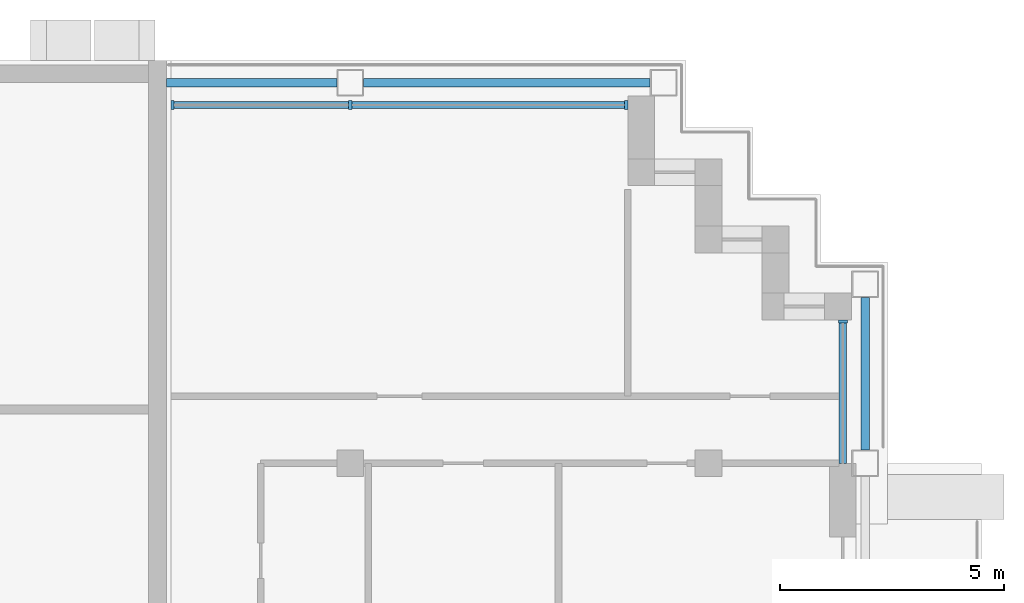
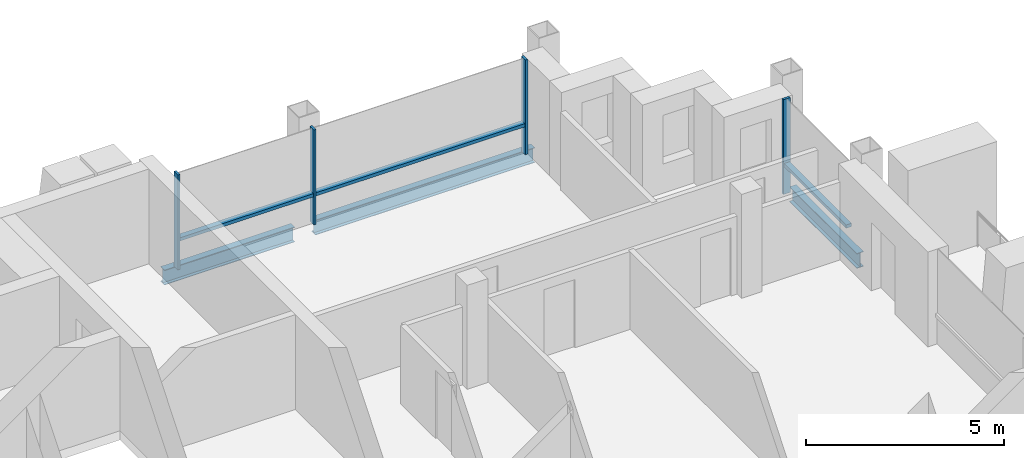
# One storey, part 5 of 15: 7 members, 3 beams, 2 elements without a shape of their own.
"""IFC4 building model written with IfcOpenShell, lengths in metres."""

from ifc_helpers import new_model, si_unit, direction, frame, origin, origin_2d, place, context, subcontext, project, spatial, rectangle, i_section, extrude, material, material_profile, profile_set, type_object, element, aggregate, save


model = new_model("IFC4")

# Units and contexts
model_context = context("Model", 3, precision=1e-05, world=origin(), true_north=direction((0.0, 1.0)))
body_context = subcontext(model_context, "Body", "Model", "MODEL_VIEW")
ifc_project = project(units=[si_unit("LENGTHUNIT", "METRE"), si_unit("AREAUNIT", "SQUARE_METRE"), si_unit("VOLUMEUNIT", "CUBIC_METRE"), si_unit("PLANEANGLEUNIT", "RADIAN"), si_unit("MASSUNIT", "GRAM", prefix="KILO")], contexts=[model_context])

# Site, building, storey
site_placement = place(None, origin())
site = spatial("IfcSite", under=ifc_project, at=site_placement, CompositionType="ELEMENT")
building_placement = place(site_placement, origin())
building = spatial("IfcBuilding", under=site, at=building_placement, Name="Vidyagriha Tower", CompositionType="ELEMENT")
storey_placement = place(building_placement, frame((0.0, 0.0, 233.199951171875)))
storey = spatial("IfcBuildingStorey", under=building, at=storey_placement, Name="L61", CompositionType="ELEMENT", Elevation=233.199951171875)

# Beams
ifc_material_1 = material(Name="Steel ASTM A992 Grade 50", Category="steel")
ifc_material_profile_1 = material_profile(ifc_material_1, i_section(OverallWidth=0.19189453125, OverallDepth=0.46240234375, WebThickness=0.010498046875, FlangeThickness=0.017578125, at=origin_2d()), Name="W18X60")
ifc_profile_set_1 = profile_set([ifc_material_profile_1], Name="Steel ASTM A992 Grade 50")
beam_type = type_object("IfcBeamType", Name="Edge beam W18X60", PredefinedType="SPANDREL", material=ifc_profile_set_1)
beam_1_placement = place(storey_placement, frame((29.5, 11.300048828125, -0.510986328125), z_axis=(0.0, 1.0, 0.0), x_axis=(-1.0, 0.0, 0.0)))
element("IfcBeam", 1, at=beam_1_placement, inside=storey, type_object=beam_type, Name="st-beam-L61-E17", PredefinedType="SPANDREL", context=body_context, shape_type="SweptSolid", body=[
    extrude(i_section(OverallWidth=0.19189453125, OverallDepth=0.46240234375, WebThickness=0.010498046875, FlangeThickness=0.017578125, at=origin_2d()), origin(), (0.0, 0.0, 1.0), 3.39990234375),
])
beam_2_placement = place(storey_placement, frame((18.300048828125, 19.5, -0.510986328125), z_axis=(1.0, 0.0, 0.0), x_axis=(0.0, 1.0, 0.0)))
element("IfcBeam", 2, at=beam_2_placement, inside=storey, type_object=beam_type, Name="st-beam-L61-NE19", PredefinedType="SPANDREL", context=body_context, shape_type="SweptSolid", body=[
    extrude(i_section(OverallWidth=0.19189453125, OverallDepth=0.46240234375, WebThickness=0.010498046875, FlangeThickness=0.017578125, at=origin_2d()), origin(), (0.0, 0.0, 1.0), 6.39990234375),
])
beam_3_placement = place(storey_placement, frame((13.89990234375, 19.5, -0.510986328125), z_axis=(1.0, 0.0, 0.0), x_axis=(0.0, 1.0, 0.0)))
element("IfcBeam", 3, at=beam_3_placement, inside=storey, type_object=beam_type, Name="st-beam-L61-NC21", PredefinedType="SPANDREL", context=body_context, shape_type="SweptSolid", body=[
    extrude(i_section(OverallWidth=0.19189453125, OverallDepth=0.46240234375, WebThickness=0.010498046875, FlangeThickness=0.017578125, at=origin_2d()), origin(), (0.0, 0.0, 1.0), 3.800048828125),
])

# Curtain wall, members
ifc_material_2 = material(Name="Aluminium and glass curtain wall", Category="aluminium")
curtain_wall_type = type_object("IfcCurtainWallType", Name="Dwelling skin unitised curtain wall", PredefinedType="USERDEFINED", material=ifc_material_2)
curtain_wall_1_placement = place(storey_placement, origin())
curtain_wall_1 = element("IfcCurtainWall", 4, at=curtain_wall_1_placement, inside=storey, type_object=curtain_wall_type, Name="CW1 dwelling skin", ObjectType="UNITISED", PredefinedType="USERDEFINED")
ifc_material_3 = material(Name="Aluminium black anodised", Category="aluminium")
ifc_material_profile_2 = material_profile(ifc_material_3, rectangle(XDim=0.199951171875, YDim=0.070068359375, at=origin_2d()), Name="Mullion 70x200 black aluminium")
ifc_profile_set_2 = profile_set([ifc_material_profile_2], Name="Aluminium black anodised")
member_type_1 = type_object("IfcMemberType", Name="Mullion 70x200 black aluminium", PredefinedType="MULLION", material=ifc_profile_set_2)
member_1_placement = place(storey_placement, frame((24.1650390625, 19.0, 0.0), z_axis=(0.0, 0.0, 1.0), x_axis=(0.0, -1.0, 0.0)))
member_1 = element("IfcMember", 5, at=member_1_placement, type_object=member_type_1, Name="CW1 mullion 1", PredefinedType="MULLION", context=body_context, shape_type="SweptSolid", body=[
    extrude(rectangle(XDim=0.199951171875, YDim=0.070068359375, at=origin_2d()), origin(), (0.0, 0.0, 1.0), 2.920166015625),
])
member_2_placement = place(storey_placement, frame((18.0, 19.0, 0.0), z_axis=(0.0, 0.0, 1.0), x_axis=(0.0, -1.0, 0.0)))
member_2 = element("IfcMember", 6, at=member_2_placement, type_object=member_type_1, Name="CW1 mullion 2", PredefinedType="MULLION", context=body_context, shape_type="SweptSolid", body=[
    extrude(rectangle(XDim=0.199951171875, YDim=0.070068359375, at=origin_2d()), origin(), (0.0, 0.0, 1.0), 2.920166015625),
])
member_3_placement = place(storey_placement, frame((14.034912109375, 19.0, 0.0), z_axis=(0.0, 0.0, 1.0), x_axis=(0.0, -1.0, 0.0)))
member_3 = element("IfcMember", 7, at=member_3_placement, type_object=member_type_1, Name="CW1 mullion 3", PredefinedType="MULLION", context=body_context, shape_type="SweptSolid", body=[
    extrude(rectangle(XDim=0.199951171875, YDim=0.070068359375, at=origin_2d()), origin(), (0.0, 0.0, 1.0), 2.920166015625),
])

# Curtain wall, member
curtain_wall_2_placement = place(storey_placement, origin())
curtain_wall_2 = element("IfcCurtainWall", 8, at=curtain_wall_2_placement, inside=storey, type_object=curtain_wall_type, Name="CW1 dwelling skin", ObjectType="UNITISED", PredefinedType="USERDEFINED")
member_4_placement = place(storey_placement, frame((29.0, 14.1650390625, 0.0), z_axis=(0.0, 0.0, 1.0), x_axis=(-1.0, 0.0, 0.0)))
member_4 = element("IfcMember", 9, at=member_4_placement, type_object=member_type_1, Name="CW1 mullion 2", PredefinedType="MULLION", context=body_context, shape_type="SweptSolid", body=[
    extrude(rectangle(XDim=0.199951171875, YDim=0.070068359375, at=origin_2d()), origin(), (0.0, 0.0, 1.0), 2.920166015625),
])

# Member
ifc_material_4 = material(Name="Aluminium black anodised", Category="aluminium")
ifc_material_profile_3 = material_profile(ifc_material_4, rectangle(XDim=0.159912109375, YDim=0.10009765625, at=origin_2d()), Name="Transom 100x160 black aluminium")
ifc_profile_set_3 = profile_set([ifc_material_profile_3], Name="Aluminium black anodised")
member_type_2 = type_object("IfcMemberType", Name="Transom 100x160 black aluminium", PredefinedType="USERDEFINED", material=ifc_profile_set_3)
member_5_placement = place(storey_placement, frame((24.1298828125, 19.0, 0.900146484375), z_axis=(-1.0, 0.0, 0.0), x_axis=(0.0, -1.0, 0.0)))
member_5 = element("IfcMember", 10, at=member_5_placement, type_object=member_type_2, Name="CW1 transom 1.1", ObjectType="TRANSOM", PredefinedType="USERDEFINED", context=body_context, shape_type="SweptSolid", body=[
    extrude(rectangle(XDim=0.159912109375, YDim=0.10009765625, at=origin_2d()), origin(), (0.0, 0.0, 1.0), 6.094970703125),
])

member_6_placement = place(storey_placement, frame((17.965087890625, 19.0, 0.900146484375), z_axis=(-1.0, 0.0, 0.0), x_axis=(0.0, -1.0, 0.0)))
member_6 = element("IfcMember", 11, at=member_6_placement, type_object=member_type_2, Name="CW1 transom 2.1", ObjectType="TRANSOM", PredefinedType="USERDEFINED", context=body_context, shape_type="SweptSolid", body=[
    extrude(rectangle(XDim=0.159912109375, YDim=0.10009765625, at=origin_2d()), origin(), (0.0, 0.0, 1.0), 3.89501953125),
])

aggregate(curtain_wall_1, [member_1, member_2, member_3, member_5, member_6])

member_7_placement = place(storey_placement, frame((29.0, 11.0, 0.900146484375), z_axis=(0.0, 1.0, 0.0), x_axis=(-1.0, 0.0, 0.0)))
member_7 = element("IfcMember", 12, at=member_7_placement, type_object=member_type_2, Name="CW1 transom 1.1", ObjectType="TRANSOM", PredefinedType="USERDEFINED", context=body_context, shape_type="SweptSolid", body=[
    extrude(rectangle(XDim=0.159912109375, YDim=0.10009765625, at=origin_2d()), origin(), (0.0, 0.0, 1.0), 3.1298828125),
])

aggregate(curtain_wall_2, [member_4, member_7])

save(model, "model.ifc")
